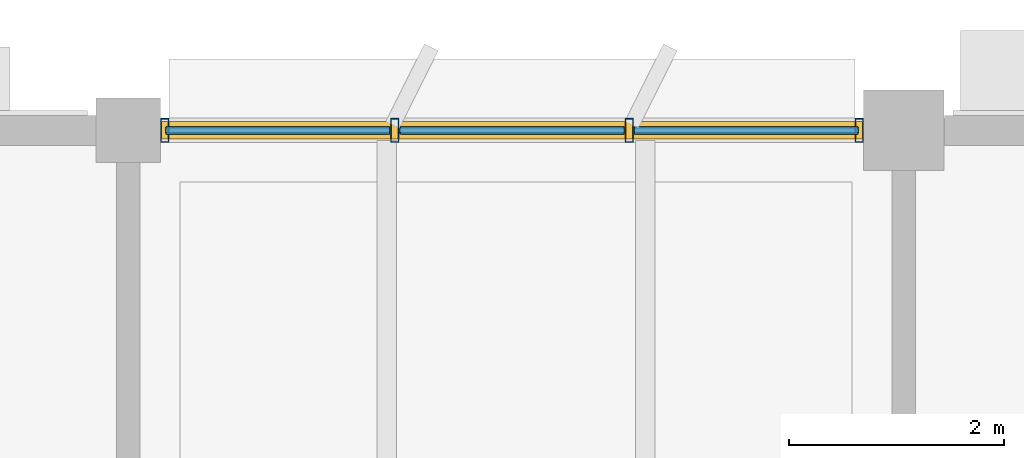
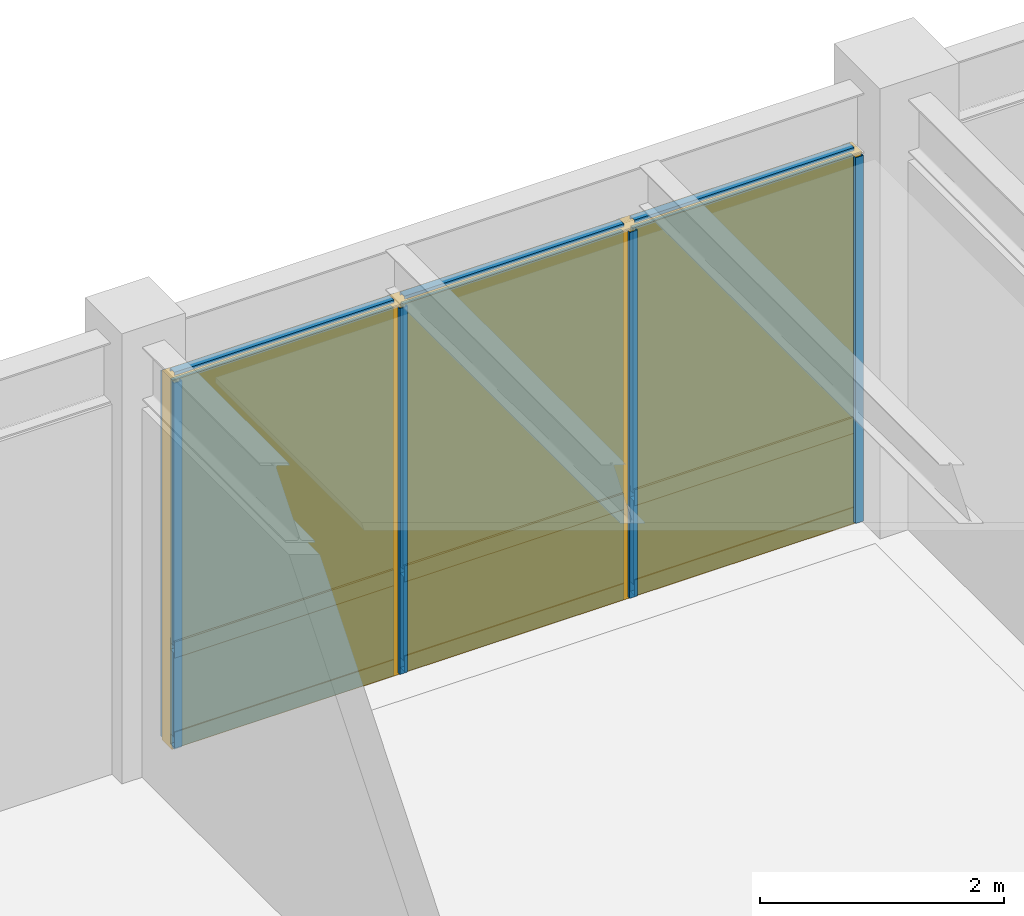
# One storey, part 59 of 92: 13 members, 6 plates, 1 curtain wall.
"""IFC4 building model written with IfcOpenShell, lengths in metres."""

from ifc_helpers import new_model, si_unit, direction, frame, origin, origin_2d, place, context, subcontext, project, spatial, rectangle, hollow_rectangle, extrude, material, layer, layer_set, material_profile, profile_set, type_object, element, aggregate, save


model = new_model("IFC4")

# Units and contexts
model_context = context("Model", 3, precision=1e-05, world=origin(), true_north=direction((0.0, 1.0)))
body_context = subcontext(model_context, "Body", "Model", "MODEL_VIEW")
ifc_project = project(units=[si_unit("LENGTHUNIT", "METRE"), si_unit("AREAUNIT", "SQUARE_METRE"), si_unit("VOLUMEUNIT", "CUBIC_METRE"), si_unit("PLANEANGLEUNIT", "RADIAN"), si_unit("MASSUNIT", "GRAM", prefix="KILO")], contexts=[model_context])

# Member
ifc_material_1 = material(Name="Anodized Aluminium 6063-T6", Category="aluminium")
ifc_material_profile_1 = material_profile(ifc_material_1, hollow_rectangle(XDim=0.074951171875, YDim=0.219970703125, WallThickness=0.0048828125, at=origin_2d()), Name="ALU 75x220x5")
ifc_profile_set_1 = profile_set([ifc_material_profile_1], Name="Anodized Aluminium 6063-T6")
member_type_1 = type_object("IfcMemberType", Name="CWM-75X180", PredefinedType="MULLION", material=ifc_profile_set_1)
site_placement = place(None, origin())
building_placement = place(site_placement, origin())
storey_placement = place(building_placement, frame((0.0, 0.0, 5.39990234375)))
member_1_placement = place(storey_placement, frame((50.739990234375, 115.199951171875, 0.02001953125), z_axis=(0.0, 0.0, 1.0), x_axis=(1.0, 0.0, 0.0)))
member_1 = element("IfcMember", 1, at=member_1_placement, type_object=member_type_1, Name="Curtain wall mullion CW-L02-07-15-N-00", PredefinedType="MULLION", context=body_context, shape_type="SweptSolid", body=[
    extrude(hollow_rectangle(XDim=0.074951171875, YDim=0.219970703125, WallThickness=0.0048828125, at=origin_2d()), origin(), (0.0, 0.0, 1.0), 3.657958984375),
])

member_2_placement = place(storey_placement, frame((52.875, 115.199951171875, 0.02001953125), z_axis=(0.0, 0.0, 1.0), x_axis=(1.0, 0.0, 0.0)))
member_2 = element("IfcMember", 2, at=member_2_placement, type_object=member_type_1, Name="Curtain wall mullion CW-L02-07-15-N-01", PredefinedType="MULLION", context=body_context, shape_type="SweptSolid", body=[
    extrude(hollow_rectangle(XDim=0.074951171875, YDim=0.219970703125, WallThickness=0.0048828125, at=origin_2d()), origin(), (0.0, 0.0, 1.0), 3.657958984375),
])

member_3_placement = place(storey_placement, frame((55.050048828125, 115.199951171875, 0.02001953125), z_axis=(0.0, 0.0, 1.0), x_axis=(1.0, 0.0, 0.0)))
member_3 = element("IfcMember", 3, at=member_3_placement, type_object=member_type_1, Name="Curtain wall mullion CW-L02-07-15-N-02", PredefinedType="MULLION", context=body_context, shape_type="SweptSolid", body=[
    extrude(hollow_rectangle(XDim=0.074951171875, YDim=0.219970703125, WallThickness=0.0048828125, at=origin_2d()), origin(), (0.0, 0.0, 1.0), 3.657958984375),
])

member_4_placement = place(storey_placement, frame((57.18505859375, 115.199951171875, 0.02001953125), z_axis=(0.0, 0.0, 1.0), x_axis=(1.0, 0.0, 0.0)))
member_4 = element("IfcMember", 4, at=member_4_placement, type_object=member_type_1, Name="Curtain wall mullion CW-L02-07-15-N-03", PredefinedType="MULLION", context=body_context, shape_type="SweptSolid", body=[
    extrude(hollow_rectangle(XDim=0.074951171875, YDim=0.219970703125, WallThickness=0.0048828125, at=origin_2d()), origin(), (0.0, 0.0, 1.0), 3.657958984375),
])

ifc_material_profile_2 = material_profile(ifc_material_1, hollow_rectangle(XDim=0.074951171875, YDim=0.159912109375, WallThickness=0.00390625, at=origin_2d()), Name="ALU 75x160x4")
ifc_profile_set_2 = profile_set([ifc_material_profile_2], Name="Anodized Aluminium 6063-T6")
member_type_2 = type_object("IfcMemberType", Name="CWT-75X150", PredefinedType="USERDEFINED", material=ifc_profile_set_2)
member_5_placement = place(storey_placement, frame((50.75, 115.199951171875, 0.050048828125), z_axis=(1.0, 0.0, 0.0), x_axis=(0.0, 1.0, 0.0)))
member_5 = element("IfcMember", 5, at=member_5_placement, type_object=member_type_2, Name="Curtain wall transom CW-L02-07-15-N-1.01", ObjectType="TRANSOM", PredefinedType="USERDEFINED", context=body_context, shape_type="SweptSolid", body=[
    extrude(hollow_rectangle(XDim=0.074951171875, YDim=0.159912109375, WallThickness=0.00390625, at=origin_2d()), origin(), (0.0, 0.0, 1.0), 2.074951171875),
])

member_6_placement = place(storey_placement, frame((52.925048828125, 115.199951171875, 0.050048828125), z_axis=(1.0, 0.0, 0.0), x_axis=(0.0, 1.0, 0.0)))
member_6 = element("IfcMember", 6, at=member_6_placement, type_object=member_type_2, Name="Curtain wall transom CW-L02-07-15-N-1.02", ObjectType="TRANSOM", PredefinedType="USERDEFINED", context=body_context, shape_type="SweptSolid", body=[
    extrude(hollow_rectangle(XDim=0.074951171875, YDim=0.159912109375, WallThickness=0.00390625, at=origin_2d()), origin(), (0.0, 0.0, 1.0), 2.074951171875),
])

member_7_placement = place(storey_placement, frame((55.10009765625, 115.199951171875, 0.050048828125), z_axis=(1.0, 0.0, 0.0), x_axis=(0.0, 1.0, 0.0)))
member_7 = element("IfcMember", 7, at=member_7_placement, type_object=member_type_2, Name="Curtain wall transom CW-L02-07-15-N-1.03", ObjectType="TRANSOM", PredefinedType="USERDEFINED", context=body_context, shape_type="SweptSolid", body=[
    extrude(hollow_rectangle(XDim=0.074951171875, YDim=0.159912109375, WallThickness=0.00390625, at=origin_2d()), origin(), (0.0, 0.0, 1.0), 2.074951171875),
])

member_8_placement = place(storey_placement, frame((50.75, 115.199951171875, 0.9501953125), z_axis=(1.0, 0.0, 0.0), x_axis=(0.0, 1.0, 0.0)))
member_8 = element("IfcMember", 8, at=member_8_placement, type_object=member_type_2, Name="Curtain wall transom CW-L02-07-15-N-2.01", ObjectType="TRANSOM", PredefinedType="USERDEFINED", context=body_context, shape_type="SweptSolid", body=[
    extrude(hollow_rectangle(XDim=0.074951171875, YDim=0.159912109375, WallThickness=0.00390625, at=origin_2d()), origin(), (0.0, 0.0, 1.0), 2.074951171875),
])

member_9_placement = place(storey_placement, frame((52.925048828125, 115.199951171875, 0.9501953125), z_axis=(1.0, 0.0, 0.0), x_axis=(0.0, 1.0, 0.0)))
member_9 = element("IfcMember", 9, at=member_9_placement, type_object=member_type_2, Name="Curtain wall transom CW-L02-07-15-N-2.02", ObjectType="TRANSOM", PredefinedType="USERDEFINED", context=body_context, shape_type="SweptSolid", body=[
    extrude(hollow_rectangle(XDim=0.074951171875, YDim=0.159912109375, WallThickness=0.00390625, at=origin_2d()), origin(), (0.0, 0.0, 1.0), 2.074951171875),
])

member_10_placement = place(storey_placement, frame((55.10009765625, 115.199951171875, 0.9501953125), z_axis=(1.0, 0.0, 0.0), x_axis=(0.0, 1.0, 0.0)))
member_10 = element("IfcMember", 10, at=member_10_placement, type_object=member_type_2, Name="Curtain wall transom CW-L02-07-15-N-2.03", ObjectType="TRANSOM", PredefinedType="USERDEFINED", context=body_context, shape_type="SweptSolid", body=[
    extrude(hollow_rectangle(XDim=0.074951171875, YDim=0.159912109375, WallThickness=0.00390625, at=origin_2d()), origin(), (0.0, 0.0, 1.0), 2.074951171875),
])

member_11_placement = place(storey_placement, frame((50.75, 115.199951171875, 3.648193359375), z_axis=(1.0, 0.0, 0.0), x_axis=(0.0, 1.0, 0.0)))
member_11 = element("IfcMember", 11, at=member_11_placement, type_object=member_type_2, Name="Curtain wall transom CW-L02-07-15-N-3.01", ObjectType="TRANSOM", PredefinedType="USERDEFINED", context=body_context, shape_type="SweptSolid", body=[
    extrude(hollow_rectangle(XDim=0.074951171875, YDim=0.159912109375, WallThickness=0.00390625, at=origin_2d()), origin(), (0.0, 0.0, 1.0), 2.074951171875),
])

member_12_placement = place(storey_placement, frame((52.925048828125, 115.199951171875, 3.648193359375), z_axis=(1.0, 0.0, 0.0), x_axis=(0.0, 1.0, 0.0)))
member_12 = element("IfcMember", 12, at=member_12_placement, type_object=member_type_2, Name="Curtain wall transom CW-L02-07-15-N-3.02", ObjectType="TRANSOM", PredefinedType="USERDEFINED", context=body_context, shape_type="SweptSolid", body=[
    extrude(hollow_rectangle(XDim=0.074951171875, YDim=0.159912109375, WallThickness=0.00390625, at=origin_2d()), origin(), (0.0, 0.0, 1.0), 2.074951171875),
])

member_13_placement = place(storey_placement, frame((55.10009765625, 115.199951171875, 3.648193359375), z_axis=(1.0, 0.0, 0.0), x_axis=(0.0, 1.0, 0.0)))
member_13 = element("IfcMember", 13, at=member_13_placement, type_object=member_type_2, Name="Curtain wall transom CW-L02-07-15-N-3.03", ObjectType="TRANSOM", PredefinedType="USERDEFINED", context=body_context, shape_type="SweptSolid", body=[
    extrude(hollow_rectangle(XDim=0.074951171875, YDim=0.159912109375, WallThickness=0.00390625, at=origin_2d()), origin(), (0.0, 0.0, 1.0), 2.074951171875),
])

# Plate
ifc_material_2 = material(Name="Acoustic Laminated Low-E Glazing", Category="glass")
ifc_layer_1 = layer(ifc_material_2, 0.0439453125)
ifc_layer_set_1 = layer_set([ifc_layer_1], Name="Acoustic Laminated Low-E Glazing")
plate_type_1 = type_object("IfcPlateType", Name="CWP-IGU-44", PredefinedType="CURTAIN_PANEL", material=ifc_layer_set_1)
plate_1_placement = place(storey_placement, frame((51.78759765625, 115.199951171875, 0.990234375), z_axis=(0.0, 0.0, 1.0), x_axis=(1.0, 0.0, 0.0)))
plate_1 = element("IfcPlate", 14, at=plate_1_placement, type_object=plate_type_1, Name="Curtain wall vision glazing CW-L02-07-15-N-01", PredefinedType="CURTAIN_PANEL", context=body_context, shape_type="SweptSolid", body=[
    extrude(rectangle(XDim=2.0849609375, YDim=0.0400390625, at=origin_2d()), origin(), (0.0, 0.0, 1.0), 2.64794921875),
])

plate_2_placement = place(storey_placement, frame((53.96240234375, 115.199951171875, 0.990234375), z_axis=(0.0, 0.0, 1.0), x_axis=(1.0, 0.0, 0.0)))
plate_2 = element("IfcPlate", 15, at=plate_2_placement, type_object=plate_type_1, Name="Curtain wall vision glazing CW-L02-07-15-N-02", PredefinedType="CURTAIN_PANEL", context=body_context, shape_type="SweptSolid", body=[
    extrude(rectangle(XDim=2.0849609375, YDim=0.0400390625, at=origin_2d()), origin(), (0.0, 0.0, 1.0), 2.64794921875),
])

plate_3_placement = place(storey_placement, frame((56.137451171875, 115.199951171875, 0.990234375), z_axis=(0.0, 0.0, 1.0), x_axis=(1.0, 0.0, 0.0)))
plate_3 = element("IfcPlate", 16, at=plate_3_placement, type_object=plate_type_1, Name="Curtain wall vision glazing CW-L02-07-15-N-03", PredefinedType="CURTAIN_PANEL", context=body_context, shape_type="SweptSolid", body=[
    extrude(rectangle(XDim=2.0849609375, YDim=0.0400390625, at=origin_2d()), origin(), (0.0, 0.0, 1.0), 2.64794921875),
])

ifc_material_3 = material(Name="Insulated Stone-Composite Spandrel", Category="masonry")
ifc_layer_2 = layer(ifc_material_3, 0.068115234375)
ifc_layer_set_2 = layer_set([ifc_layer_2], Name="Insulated Stone-Composite Spandrel")
plate_type_2 = type_object("IfcPlateType", Name="CWP-SPN-68", PredefinedType="CURTAIN_PANEL", material=ifc_layer_set_2)
plate_4_placement = place(storey_placement, frame((51.78759765625, 115.199951171875, 0.080078125), z_axis=(0.0, 0.0, 1.0), x_axis=(1.0, 0.0, 0.0)))
plate_4 = element("IfcPlate", 17, at=plate_4_placement, type_object=plate_type_2, Name="Curtain wall spandrel panel CW-L02-07-15-N-01", PredefinedType="CURTAIN_PANEL", context=body_context, shape_type="SweptSolid", body=[
    extrude(rectangle(XDim=2.0849609375, YDim=0.06005859375, at=origin_2d()), origin(), (0.0, 0.0, 1.0), 0.840087890625),
])

plate_5_placement = place(storey_placement, frame((53.96240234375, 115.199951171875, 0.080078125), z_axis=(0.0, 0.0, 1.0), x_axis=(1.0, 0.0, 0.0)))
plate_5 = element("IfcPlate", 18, at=plate_5_placement, type_object=plate_type_2, Name="Curtain wall spandrel panel CW-L02-07-15-N-02", PredefinedType="CURTAIN_PANEL", context=body_context, shape_type="SweptSolid", body=[
    extrude(rectangle(XDim=2.0849609375, YDim=0.06005859375, at=origin_2d()), origin(), (0.0, 0.0, 1.0), 0.840087890625),
])

plate_6_placement = place(storey_placement, frame((56.137451171875, 115.199951171875, 0.080078125), z_axis=(0.0, 0.0, 1.0), x_axis=(1.0, 0.0, 0.0)))
plate_6 = element("IfcPlate", 19, at=plate_6_placement, type_object=plate_type_2, Name="Curtain wall spandrel panel CW-L02-07-15-N-03", PredefinedType="CURTAIN_PANEL", context=body_context, shape_type="SweptSolid", body=[
    extrude(rectangle(XDim=2.0849609375, YDim=0.06005859375, at=origin_2d()), origin(), (0.0, 0.0, 1.0), 0.840087890625),
])

# Site, building, storey
site = spatial("IfcSite", under=ifc_project, at=site_placement, CompositionType="ELEMENT")
building = spatial("IfcBuilding", under=site, at=building_placement, Name="Sillqori Civic Hall", CompositionType="ELEMENT")
storey = spatial("IfcBuildingStorey", under=building, at=storey_placement, Name="L02", CompositionType="ELEMENT", Elevation=5.39990234375)

# Curtain wall
ifc_material_4 = material(Name="Anodized Aluminium Curtain Wall System", Category="aluminium")
curtain_wall_type = type_object("IfcCurtainWallType", Name="CW-GL-430", PredefinedType="NOTDEFINED", material=ifc_material_4)
curtain_wall_placement = place(storey_placement, frame((53.96240234375, 115.199951171875, 0.0), z_axis=(0.0, 0.0, 1.0), x_axis=(1.0, 0.0, 0.0)))
curtain_wall = element("IfcCurtainWall", 20, at=curtain_wall_placement, inside=storey, type_object=curtain_wall_type, Name="L02 unitised curtain wall CW-L02-07-15-N", PredefinedType="NOTDEFINED", context=body_context, shape_type="SweptSolid", body=[
    extrude(rectangle(XDim=6.52490234375, YDim=0.159912109375, at=origin_2d()), origin(), (0.0, 0.0, 1.0), 3.697998046875),
])

aggregate(curtain_wall, [member_1, member_2, member_3, member_4, member_5, member_6, member_7, member_8, member_9, member_10, member_11, member_12, member_13, plate_4, plate_1, plate_5, plate_2, plate_6, plate_3])

save(model, "model.ifc")
